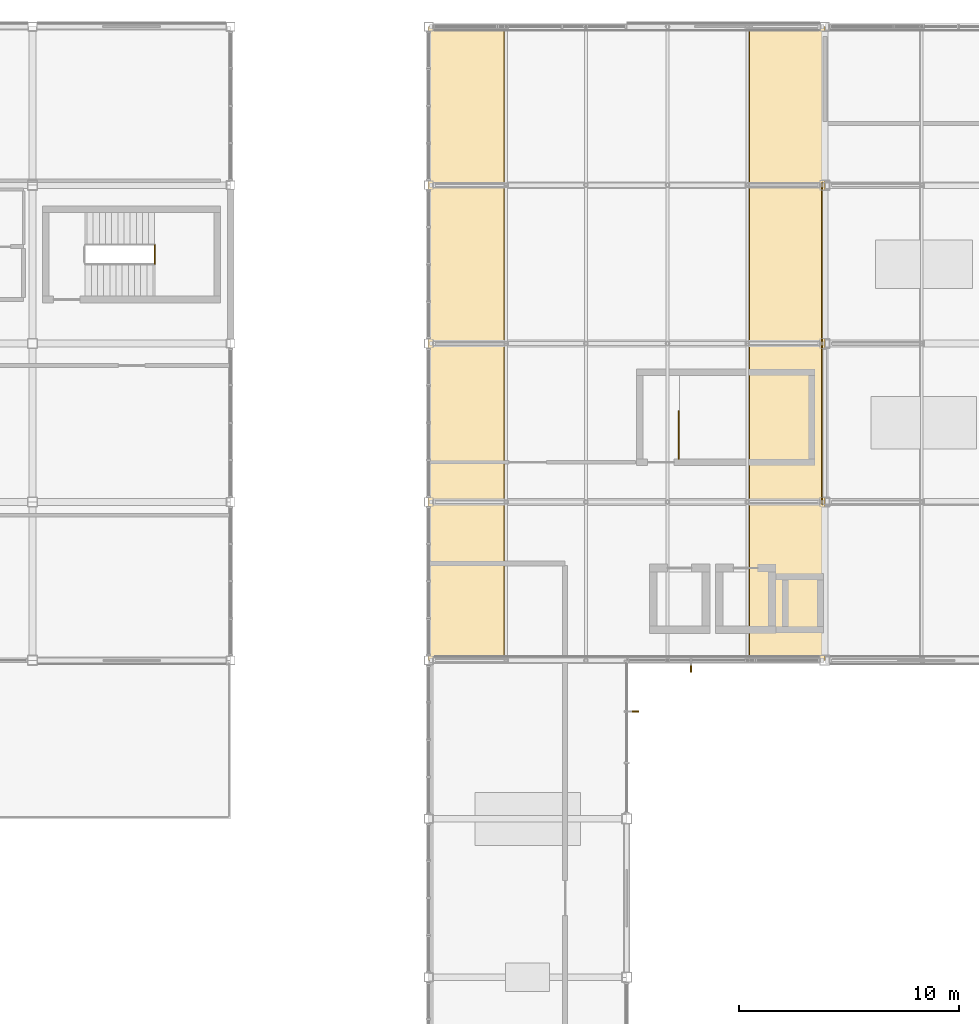
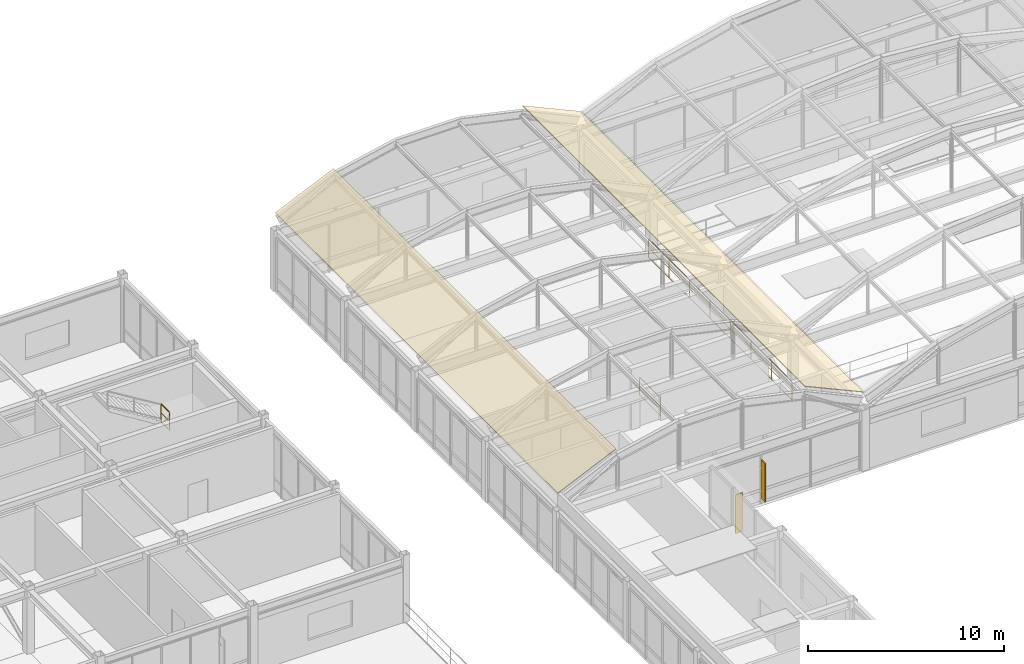
# One storey, part 100 of 106: 3 railings, 2 coverings, 2 shading devices.
"""IFC4 building model written with IfcOpenShell, lengths in metres."""

from ifc_helpers import new_model, si_unit, direction, frame, origin, origin_2d, place, context, subcontext, project, spatial, polyline, rectangle, outline, extrude, material, layer, layer_set, type_object, element, save


model = new_model("IFC4")

# Units and contexts
model_context = context("Model", 3, precision=1e-05, world=origin(), true_north=direction((0.0, 1.0)))
body_context = subcontext(model_context, "Body", "Model", "MODEL_VIEW")
ifc_project = project(units=[si_unit("LENGTHUNIT", "METRE"), si_unit("AREAUNIT", "SQUARE_METRE"), si_unit("VOLUMEUNIT", "CUBIC_METRE"), si_unit("PLANEANGLEUNIT", "RADIAN"), si_unit("MASSUNIT", "GRAM", prefix="KILO")], contexts=[model_context])

# Site, building, storey
site_placement = place(None, origin())
site = spatial("IfcSite", under=ifc_project, at=site_placement, CompositionType="ELEMENT")
building_placement = place(site_placement, origin())
building = spatial("IfcBuilding", under=site, at=building_placement, Name="Kazanami Central Library", CompositionType="ELEMENT")
storey_placement = place(building_placement, frame((0.0, 0.0, 12.800048828125)))
storey = spatial("IfcBuildingStorey", under=building, at=storey_placement, Name="L04", CompositionType="ELEMENT", Elevation=12.800048828125)

# Coverings
ifc_material_1 = material(Name="Standing-Seam Titanium Zinc")
ifc_layer = layer(ifc_material_1, 0.034912109375, Name="Standing-Seam Titanium Zinc")
ifc_layer_set = layer_set([ifc_layer], Name="Standing-Seam Titanium Zinc")
covering_type = type_object("IfcCoveringType", Name="COV-ZNC-35", PredefinedType="ROOFING", material=ifc_layer_set)
for number, where, z_axis, x_axis, name in (
    (1, (45.0, 64.800048828125, 4.755859375), (-0.412572474631, 0.0, 0.910924779099), (0.910924779099, 0.0, 0.412572474631), "Standing-Seam Zinc Barrel Vault Roofing VAULT-WEST Facet 1"),
    (2, (59.5673828125, 64.800048828125, 6.310546875), (0.412572474631, 0.0, 0.910924779099), (0.910924779099, 0.0, -0.412572474631), "Standing-Seam Zinc Barrel Vault Roofing VAULT-WEST Facet 5"),
):
    element("IfcCovering", number, at=place(storey_placement, frame(where, z_axis=z_axis, x_axis=x_axis)), inside=storey, type_object=covering_type, Name=name, PredefinedType="ROOFING", context=body_context, shape_type="SweptSolid", body=[
        extrude(outline(polyline([(0.0, 0.0), (3.768277322408299, 0.0), (3.768277322408299, 28.800048828125), (0.0, 28.800048828125), (0.0, 0.0)])), origin(), (0.0, 0.0, -1.0), 0.034912109375),
    ])

# Railings
ifc_material_2 = material(Name="Stainless Steel SUS304", Category="steel")
railing_type_1 = type_object("IfcRailingType", Name="RAL-GR-A2", PredefinedType="GUARDRAIL", material=ifc_material_2)
railing_1_placement = place(storey_placement, frame((62.8798828125, 86.52001953125, 0.0)))
element("IfcRailing", 3, at=railing_1_placement, inside=storey, type_object=railing_type_1, Name="Main Reading Hall Mezzanine Guard GR-A2 L04 (W)", PredefinedType="GUARDRAIL", context=body_context, shape_type="SweptSolid", body=[
    extrude(rectangle(XDim=0.0439453125, YDim=0.0439453125, at=origin_2d()), frame((0.0, -0.02587890625, 1.157958984375), z_axis=(0.0, -1.0, 0.0), x_axis=(1.0, 0.0, 0.0)), (0.0, 0.0, 1.0), 14.588134765625),
    extrude(rectangle(XDim=0.02392578125, YDim=0.02392578125, at=origin_2d()), frame((0.0, -0.02587890625, 0.015869140625), z_axis=(0.0, -1.0, 0.0), x_axis=(1.0, 0.0, 0.0)), (0.0, 0.0, 1.0), 14.588134765625),
    extrude(rectangle(XDim=0.02392578125, YDim=0.02392578125, at=origin_2d()), frame((0.0, -0.02587890625, 0.58984375), z_axis=(0.0, -1.0, 0.0), x_axis=(1.0, 0.0, 0.0)), (0.0, 0.0, 1.0), 14.588134765625),
    extrude(rectangle(XDim=0.035888671875, YDim=0.035888671875, at=origin_2d()), origin(), (0.0, 0.0, 1.0), 1.132080078125),
    extrude(rectangle(XDim=0.035888671875, YDim=0.035888671875, at=origin_2d()), frame((0.0, -2.091552734375, 0.0)), (0.0, 0.0, 1.0), 1.132080078125),
    extrude(rectangle(XDim=0.035888671875, YDim=0.035888671875, at=origin_2d()), frame((0.0, -4.182861328125, 0.0)), (0.0, 0.0, 1.0), 1.132080078125),
    extrude(rectangle(XDim=0.035888671875, YDim=0.035888671875, at=origin_2d()), frame((0.0, -6.2744140625, 0.0)), (0.0, 0.0, 1.0), 1.132080078125),
    extrude(rectangle(XDim=0.035888671875, YDim=0.035888671875, at=origin_2d()), frame((0.0, -8.36572265625, 0.0)), (0.0, 0.0, 1.0), 1.132080078125),
    extrude(rectangle(XDim=0.035888671875, YDim=0.035888671875, at=origin_2d()), frame((0.0, -10.457275390625, 0.0)), (0.0, 0.0, 1.0), 1.132080078125),
    extrude(rectangle(XDim=0.035888671875, YDim=0.035888671875, at=origin_2d()), frame((0.0, -12.548583984375, 0.0)), (0.0, 0.0, 1.0), 1.132080078125),
    extrude(rectangle(XDim=0.035888671875, YDim=0.035888671875, at=origin_2d()), frame((0.0, -14.64013671875, 0.0)), (0.0, 0.0, 1.0), 1.132080078125),
])
railing_type_2 = type_object("IfcRailingType", Name="RAL-GR-S1", PredefinedType="GUARDRAIL", material=ifc_material_2)
railing_2_placement = place(storey_placement, frame((56.360107421875, 73.969970703125, 0.0)))
element("IfcRailing", 4, at=railing_2_placement, inside=storey, type_object=railing_type_2, Name="Stair Well Guard ST-03 L04", PredefinedType="GUARDRAIL", context=body_context, shape_type="SweptSolid", body=[
    extrude(rectangle(XDim=0.0439453125, YDim=0.0439453125, at=origin_2d()), frame((0.0, 0.02587890625, 1.1279296875), z_axis=(0.0, 1.0, 0.0), x_axis=(-1.0, 0.0, 0.0)), (0.0, 0.0, 1.0), 2.10791015625),
    extrude(rectangle(XDim=0.02392578125, YDim=0.02392578125, at=origin_2d()), frame((0.0, 0.02587890625, 0.015869140625), z_axis=(0.0, 1.0, 0.0), x_axis=(-1.0, 0.0, 0.0)), (0.0, 0.0, 1.0), 2.10791015625),
    extrude(rectangle(XDim=0.02392578125, YDim=0.02392578125, at=origin_2d()), frame((0.0, 0.02587890625, 0.574951171875), z_axis=(0.0, 1.0, 0.0), x_axis=(-1.0, 0.0, 0.0)), (0.0, 0.0, 1.0), 2.10791015625),
    extrude(rectangle(XDim=0.035888671875, YDim=0.035888671875, at=origin_2d()), origin(), (0.0, 0.0, 1.0), 1.10205078125),
    extrude(rectangle(XDim=0.035888671875, YDim=0.035888671875, at=origin_2d()), frame((0.0, 2.159912109375, 0.0)), (0.0, 0.0, 1.0), 1.10205078125),
])
railing_3_placement = place(storey_placement, frame((32.548095703125, 82.820068359375, 2.099853515625)))
element("IfcRailing", 5, at=railing_3_placement, inside=storey, type_object=railing_type_2, Name="Half-Landing Well Guard ST-06 L04", PredefinedType="GUARDRAIL", context=body_context, shape_type="SweptSolid", body=[
    extrude(rectangle(XDim=0.0439453125, YDim=0.0439453125, at=origin_2d()), frame((0.0, 0.02587890625, 1.1279296875), z_axis=(0.0, 1.0, 0.0), x_axis=(-1.0, 0.0, 0.0)), (0.0, 0.0, 1.0), 0.807861328125),
    extrude(rectangle(XDim=0.02392578125, YDim=0.02392578125, at=origin_2d()), frame((0.0, 0.02587890625, 0.015869140625), z_axis=(0.0, 1.0, 0.0), x_axis=(-1.0, 0.0, 0.0)), (0.0, 0.0, 1.0), 0.807861328125),
    extrude(rectangle(XDim=0.02392578125, YDim=0.02392578125, at=origin_2d()), frame((0.0, 0.02587890625, 0.574951171875), z_axis=(0.0, 1.0, 0.0), x_axis=(-1.0, 0.0, 0.0)), (0.0, 0.0, 1.0), 0.807861328125),
    extrude(rectangle(XDim=0.035888671875, YDim=0.035888671875, at=origin_2d()), origin(), (0.0, 0.0, 1.0), 1.10205078125),
    extrude(rectangle(XDim=0.035888671875, YDim=0.035888671875, at=origin_2d()), frame((0.0, 0.85986328125, 0.0)), (0.0, 0.0, 1.0), 1.10205078125),
])

# Shading devices
ifc_material_3 = material(Name="Anodised Bronze-Grey Aluminium A6063-T5", Category="aluminium")
shading_device_type = type_object("IfcShadingDeviceType", Name="SHD-FIN-2", PredefinedType="USERDEFINED", material=ifc_material_3)
for number, where, z_axis, x_axis, name in (
    (6, (56.925048828125, 64.469970703125, 0.340087890625), (0.0, 0.0, 1.0), (1.0, 0.0, 0.0), "Vertical Solar Fin SF-02 L04 S-K-06.1"),
    (7, (54.330078125, 62.47509765625, 0.465087890625), (0.0, 0.0, 1.0), (0.0, -1.0, 0.0), "Vertical Solar Fin SF-02 L04 E-7-08.1"),
):
    element("IfcShadingDevice", number, at=place(storey_placement, frame(where, z_axis=z_axis, x_axis=x_axis)), inside=storey, type_object=shading_device_type, Name=name, ObjectType="SOLAR FIN", PredefinedType="USERDEFINED", context=body_context, shape_type="SweptSolid", body=[
        extrude(rectangle(XDim=0.06494140625, YDim=0.419921875, at=origin_2d()), origin(), (0.0, 0.0, 1.0), 2.39990234375),
    ])

save(model, "model.ifc")
